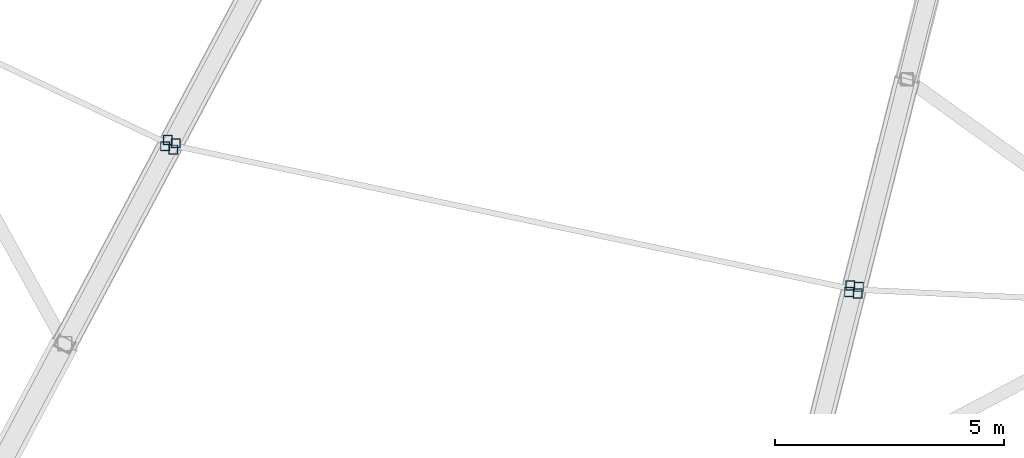
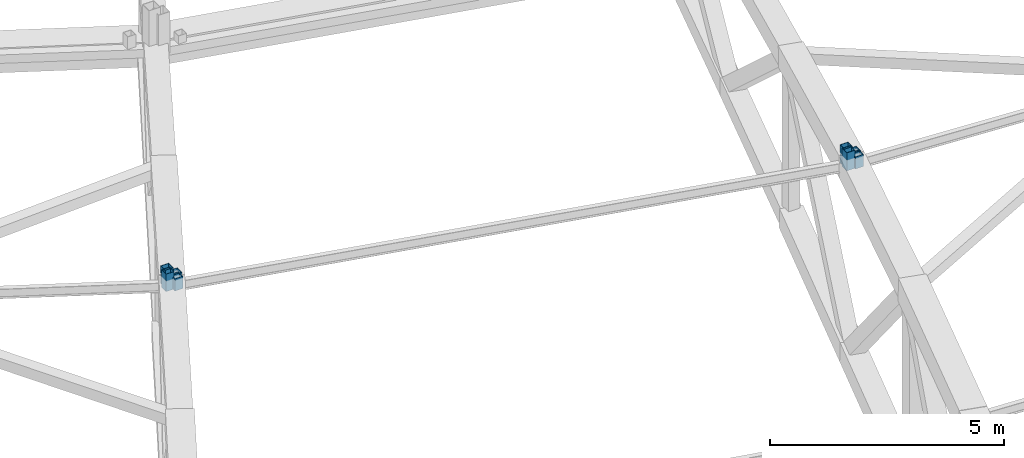
# One storey, part 98 of 162: 8 members.
"""IFC4 building model written with IfcOpenShell, lengths in metres."""

from ifc_helpers import new_model, si_unit, direction, frame, origin, origin_2d, place, context, subcontext, project, spatial, hollow_rectangle, extrude, material, material_profile, profile_set, type_object, element, save


model = new_model("IFC4")

# Units and contexts
model_context = context("Model", 3, precision=1e-05, world=origin(), true_north=direction((0.0, 1.0)))
body_context = subcontext(model_context, "Body", "Model", "MODEL_VIEW")
ifc_project = project(units=[si_unit("LENGTHUNIT", "METRE"), si_unit("AREAUNIT", "SQUARE_METRE"), si_unit("VOLUMEUNIT", "CUBIC_METRE"), si_unit("PLANEANGLEUNIT", "RADIAN"), si_unit("MASSUNIT", "GRAM", prefix="KILO")], contexts=[model_context])

# Site, building, storey
site_placement = place(None, origin())
site = spatial("IfcSite", under=ifc_project, at=site_placement, CompositionType="ELEMENT")
building_placement = place(site_placement, origin())
building = spatial("IfcBuilding", under=site, at=building_placement, Name="Kazemori Nagisa Stadium", CompositionType="ELEMENT")
storey_placement = place(building_placement, frame((0.0, 0.0, 36.719970703125)))
storey = spatial("IfcBuildingStorey", under=building, at=storey_placement, Name="RF", CompositionType="ELEMENT", Elevation=36.719970703125)

# Members
ifc_material = material(Name="Steel STKR490", Category="steel")
ifc_material_profile = material_profile(ifc_material, hollow_rectangle(XDim=0.199951171875, YDim=0.199951171875, WallThickness=0.009033203125, at=origin_2d()), Name="SHS-200x200x9")
ifc_profile_set = profile_set([ifc_material_profile], Name="Steel STKR490")
member_type = type_object("IfcMemberType", Name="Member_TS-SHS200", PredefinedType="STRUT", material=ifc_profile_set)
for number, where, z_axis, x_axis, name in (
    (1, (93.006103515625, 45.80615234375, 6.419921875), (0.0, 0.0, 1.0), (1.0, 0.0, 0.0), "Canopy bearing stool B19-mid-3"),
    (2, (93.064453125, 45.941162109375, 6.419921875), (0.0, 0.0, 1.0), (1.0, 0.0, 0.0), "Canopy bearing stool B19-inner-2"),
):
    element("IfcMember", number, at=place(storey_placement, frame(where, z_axis=z_axis, x_axis=x_axis)), inside=storey, type_object=member_type, Name=name, PredefinedType="STRUT", context=body_context, shape_type="SweptSolid", body=[
        extrude(hollow_rectangle(XDim=0.199951171875, YDim=0.199951171875, WallThickness=0.009033203125, at=origin_2d()), origin(), (0.0, 0.0, 1.0), 0.4521484375),
    ])
member_1_placement = place(storey_placement, frame((107.9365234375, 42.624755859375, 6.26611328125), z_axis=(0.0, 0.0, 1.0), x_axis=(1.0, 0.0, 0.0)))
element("IfcMember", 3, at=member_1_placement, inside=storey, type_object=member_type, Name="Canopy bearing stool B20-mid-3", PredefinedType="STRUT", context=body_context, shape_type="SweptSolid", body=[
    extrude(hollow_rectangle(XDim=0.199951171875, YDim=0.199951171875, WallThickness=0.009033203125, at=origin_2d()), origin(), (0.0, 0.0, 1.0), 0.468994140625),
])
for number, where, z_axis, x_axis, name in (
    (4, (93.18310546875, 45.732421875, 6.419921875), (0.0, 0.0, 1.0), (1.0, 0.0, 0.0), "Canopy bearing stool B20-mid-4"),
    (5, (93.23681640625, 45.871826171875, 6.419921875), (0.0, 0.0, 1.0), (1.0, 0.0, 0.0), "Canopy bearing stool B20-inner-1"),
):
    element("IfcMember", number, at=place(storey_placement, frame(where, z_axis=z_axis, x_axis=x_axis)), inside=storey, type_object=member_type, Name=name, PredefinedType="STRUT", context=body_context, shape_type="SweptSolid", body=[
        extrude(hollow_rectangle(XDim=0.199951171875, YDim=0.199951171875, WallThickness=0.009033203125, at=origin_2d()), origin(), (0.0, 0.0, 1.0), 0.315185546875),
    ])
member_2_placement = place(storey_placement, frame((107.9609375, 42.766357421875, 6.26611328125), z_axis=(0.0, 0.0, 1.0), x_axis=(1.0, 0.0, 0.0)))
element("IfcMember", 6, at=member_2_placement, inside=storey, type_object=member_type, Name="Canopy bearing stool B20-inner-2", PredefinedType="STRUT", context=body_context, shape_type="SweptSolid", body=[
    extrude(hollow_rectangle(XDim=0.199951171875, YDim=0.199951171875, WallThickness=0.009033203125, at=origin_2d()), origin(), (0.0, 0.0, 1.0), 0.468994140625),
])
for number, where, z_axis, x_axis, name in (
    (7, (108.124267578125, 42.59033203125, 6.26611328125), (0.0, 0.0, 1.0), (1.0, 0.0, 0.0), "Canopy bearing stool B21-mid-4"),
    (8, (108.149658203125, 42.7353515625, 6.26611328125), (0.0, 0.0, 1.0), (1.0, 0.0, 0.0), "Canopy bearing stool B21-inner-1"),
):
    element("IfcMember", number, at=place(storey_placement, frame(where, z_axis=z_axis, x_axis=x_axis)), inside=storey, type_object=member_type, Name=name, PredefinedType="STRUT", context=body_context, shape_type="SweptSolid", body=[
        extrude(hollow_rectangle(XDim=0.199951171875, YDim=0.199951171875, WallThickness=0.009033203125, at=origin_2d()), origin(), (0.0, 0.0, 1.0), 0.31494140625),
    ])

save(model, "model.ifc")
